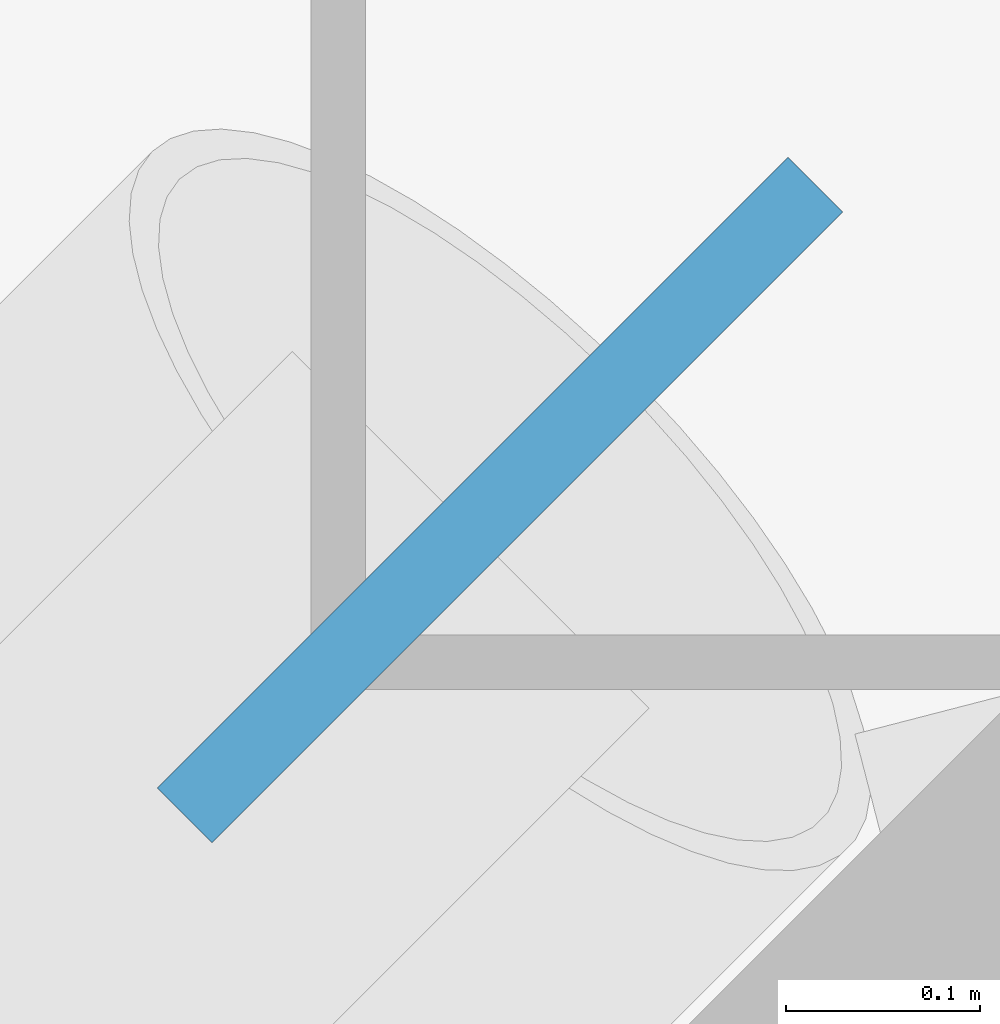
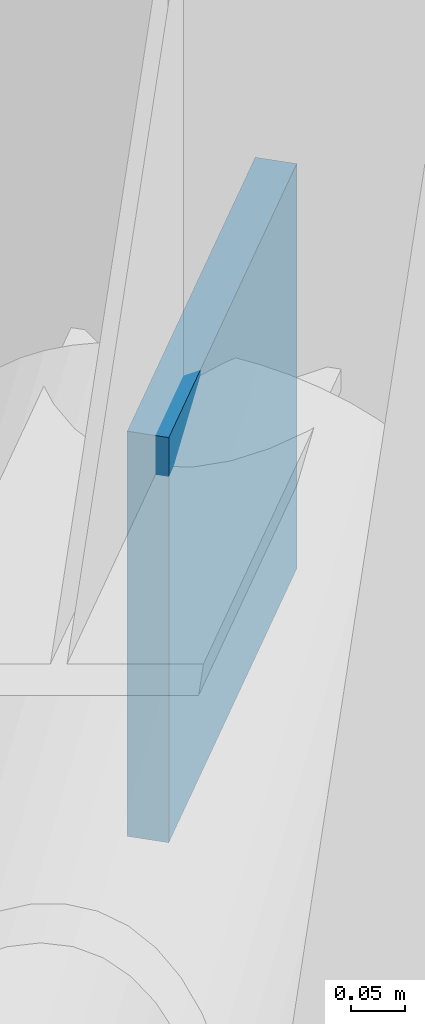
# One storey, part 16 of 19: 1 discrete accessory.
"""IFC4 building model written with IfcOpenShell, lengths in metres."""

from ifc_helpers import new_model, si_unit, direction, frame, origin, origin_2d, place, context, subcontext, project, spatial, rectangle, extrude, material, type_object, element, save


model = new_model("IFC4")

# Units and contexts
model_context = context("Model", 3, precision=1e-05, world=origin(), true_north=direction((0.0, 1.0)))
body_context = subcontext(model_context, "Body", "Model", "MODEL_VIEW")
ifc_project = project(units=[si_unit("LENGTHUNIT", "METRE"), si_unit("AREAUNIT", "SQUARE_METRE"), si_unit("VOLUMEUNIT", "CUBIC_METRE"), si_unit("PLANEANGLEUNIT", "RADIAN"), si_unit("MASSUNIT", "GRAM", prefix="KILO")], contexts=[model_context])

# Site, building, storey
site_placement = place(None, origin())
site = spatial("IfcSite", under=ifc_project, at=site_placement, CompositionType="ELEMENT")
building_placement = place(site_placement, origin())
building = spatial("IfcBuilding", under=site, at=building_placement, Name="Tavrogorsk Clinical Tower", CompositionType="ELEMENT")
storey_placement = place(building_placement, frame((0.0, 0.0, 188.199951171875)))
storey = spatial("IfcBuildingStorey", under=building, at=storey_placement, Name="L43", CompositionType="ELEMENT", Elevation=188.199951171875)

# Discrete accessory
ifc_material = material(Name="Structural steel S440", Category="steel")
discrete_accessory_type = type_object("IfcDiscreteAccessoryType", Name="GussetPlateBracket_25", PredefinedType="BRACKET", material=ifc_material)
discrete_accessory_placement = place(storey_placement, frame((-28.12255859375, 26.217529296875, 2.7470703125), z_axis=(0.0, 0.0, 1.0), x_axis=(0.707106781187, 0.707106781187, 0.0)))
element("IfcDiscreteAccessory", 1, at=discrete_accessory_placement, inside=storey, type_object=discrete_accessory_type, Name="L43 Brace Gusset Plate EXOCRN-L43-3-B", PredefinedType="BRACKET", context=body_context, shape_type="SweptSolid", body=[
    extrude(rectangle(XDim=0.4599609375, YDim=0.0400390625, at=origin_2d()), origin(), (0.0, 0.0, 1.0), 0.4599609375),
])

save(model, "model.ifc")
